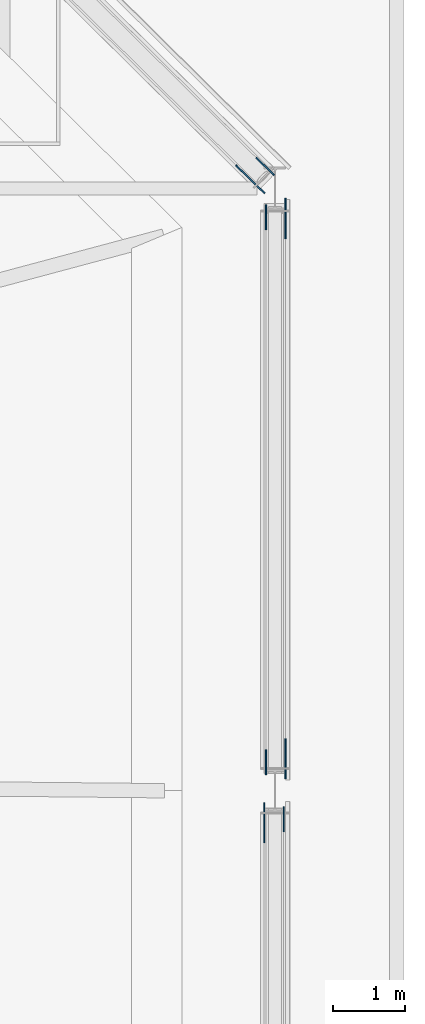
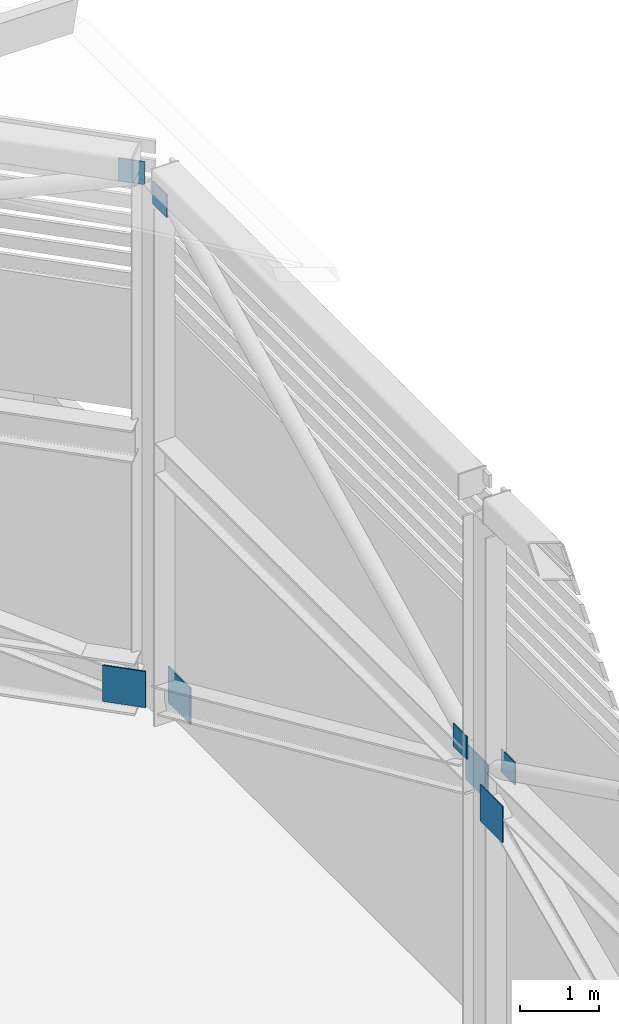
# One storey, part 18 of 22: 8 discrete accessories.
"""IFC4 building model written with IfcOpenShell, lengths in metres."""

import ifcopenshell
import ifcopenshell.guid

model = None  # the IFC model being written
_history = None  # IfcOwnerHistory: only IFC2X3 demands one
_inside = {}  # id of a spatial element -> (the spatial element, [elements in it])
_under = {}  # id of a project, library or spatial element -> (it, [spatial elements below it])
_declared = {}  # id of a project -> (the project, [libraries it declares])
_typed = {}  # id of a type object -> (the type object, [elements of that type])
_made_of = {}  # id of a material, layer set ... -> (it, [elements and type objects made of it])


def new_model(schema):
    """Start an empty IFC model of exactly this schema.

    Asked for "IFC4X3", IfcOpenShell would pick the latest addendum, in which some entities
    have other attributes; the version numbers below select the first issue.
    IFC2X3 requires an IfcOwnerHistory on every rooted entity: one is made here for all.
    """
    global model, _history
    if schema == "IFC4X3":
        model = ifcopenshell.file(schema_version=(4, 3, 0, 0))
    else:
        model = ifcopenshell.file(schema=schema)
    _inside.clear()
    _under.clear()
    _declared.clear()
    _typed.clear()
    _made_of.clear()
    _history = None
    if model.schema == "IFC2X3":
        org = make("IfcOrganization", Name="unknown")
        user = make(
            "IfcPersonAndOrganization",
            ThePerson=make("IfcPerson", FamilyName="unknown"),
            TheOrganization=org,
        )
        app = make(
            "IfcApplication",
            ApplicationDeveloper=org,
            Version="unknown",
            ApplicationFullName="unknown",
            ApplicationIdentifier="unknown",
        )
        _history = make(
            "IfcOwnerHistory",
            OwningUser=user,
            OwningApplication=app,
            ChangeAction="ADDED",
            CreationDate=0,
        )
    return model


def make(cls, **values):
    """One entity of the class cls with the attributes given. An attribute that is None is left unset."""
    return model.create_entity(
        cls, **{name: value for name, value in values.items() if value is not None}
    )


def rooted(cls, **values):
    """An entity with a GlobalId (a new one), such as an element, a storey or a relation."""
    return make(cls, GlobalId=ifcopenshell.guid.new(), OwnerHistory=_history, **values)


def si_unit(unit_type, name, prefix=None):
    """IfcSIUnit, for example si_unit("LENGTHUNIT", "METRE", prefix="MILLI")."""
    return make("IfcSIUnit", UnitType=unit_type, Prefix=prefix, Name=name)


def assignment(units):
    """IfcUnitAssignment: the units of a project."""
    return None if units is None else make("IfcUnitAssignment", Units=units)


def point(xyz):
    """IfcCartesianPoint."""
    return None if xyz is None else make("IfcCartesianPoint", Coordinates=xyz)


def direction(xyz):
    """IfcDirection."""
    return None if xyz is None else make("IfcDirection", DirectionRatios=xyz)


def frame(location, z_axis=None, x_axis=None):
    """IfcAxis2Placement3D, a coordinate frame: its origin and axes. An axis left out is left unset."""
    return make(
        "IfcAxis2Placement3D",
        Location=point(location),
        Axis=direction(z_axis),
        RefDirection=direction(x_axis),
    )


def frame_2d(location, x_axis=None):
    """IfcAxis2Placement2D, a coordinate frame in the plane: its origin and x axis."""
    return make(
        "IfcAxis2Placement2D", Location=point(location), RefDirection=direction(x_axis)
    )


def origin():
    """The frame at (0, 0, 0) with its axes left unset."""
    return frame((0.0, 0.0, 0.0))


def origin_2d():
    """The frame at (0, 0) in the plane with its x axis left unset."""
    return frame_2d((0.0, 0.0))


def place(relative_to, where):
    """IfcLocalPlacement: puts the frame where relative to a parent placement (None: the world)."""
    return make(
        "IfcLocalPlacement", PlacementRelTo=relative_to, RelativePlacement=where
    )


def context(
    kind, dimensions, precision=None, world=None, true_north=None, identifier=None
):
    """IfcGeometricRepresentationContext, for example the 3D "Model" context."""
    return make(
        "IfcGeometricRepresentationContext",
        ContextIdentifier=identifier,
        ContextType=kind,
        CoordinateSpaceDimension=dimensions,
        Precision=precision,
        WorldCoordinateSystem=world,
        TrueNorth=true_north,
    )


def subcontext(parent, identifier, kind, view, scale=None):
    """IfcGeometricRepresentationSubContext, for example "Body" below "Model"."""
    return make(
        "IfcGeometricRepresentationSubContext",
        ContextIdentifier=identifier,
        ContextType=kind,
        ParentContext=parent,
        TargetScale=scale,
        TargetView=view,
    )


def project(units=None, contexts=None):
    """IfcProject with its units and contexts."""
    return rooted(
        "IfcProject",
        Name="project",
        RepresentationContexts=contexts,
        UnitsInContext=assignment(units),
    )


def spatial(cls, under=None, at=None, **own):
    """A site, building, storey or space (cls), placed at a placement, below another one or the project."""
    s = rooted(cls, ObjectPlacement=at, **own)
    if under is not None:
        _under.setdefault(under.id(), (under, []))[1].append(s)
    return s


def profile(cls, at=None, kind="AREA", **sizes):
    """A parametric profile (cls). Its sizes go by their IFC names, for example OverallWidth=200.0."""
    return make(cls, ProfileType=kind, Position=at, **sizes)


def rectangle(**sizes):
    """IfcRectangleProfileDef."""
    return profile("IfcRectangleProfileDef", **sizes)


def extrude(swept, where, along, depth):
    """IfcExtrudedAreaSolid: the profile swept, set in the frame where, extruded along a direction by depth."""
    return make(
        "IfcExtrudedAreaSolid",
        SweptArea=swept,
        Position=where,
        ExtrudedDirection=direction(along),
        Depth=depth,
    )


def shape(context_of_items, identifier, shape_type, items):
    """IfcShapeRepresentation: the items that make up one representation, for example the "Body"."""
    return make(
        "IfcShapeRepresentation",
        ContextOfItems=context_of_items,
        RepresentationIdentifier=identifier,
        RepresentationType=shape_type,
        Items=items,
    )


def made_of(thing, what):
    """Note that an element or type object is made of a material, layer set ...; save() writes the relation."""
    if what is not None:
        _made_of.setdefault(what.id(), (what, []))[1].append(thing)
    return thing


def element(
    cls,
    number,
    at=None,
    inside=None,
    cuts=None,
    type_object=None,
    material=None,
    context=None,
    identifier="Body",
    shape_type=None,
    held_by="IfcProductDefinitionShape",
    body=None,
    shapes=None,
    **own,
):
    """One element of the class cls, such as IfcWall. Its Tag is "e" and its number.

    at: its placement. inside: the storey or other place that contains it. cuts: it is an
    opening in that element (IfcRelVoidsElement). A single representation is given by context,
    identifier, shape_type and body (its items); several are given by shapes. held_by: the class
    of the entity that holds the representations. save() writes the other relations.
    """
    e = rooted(cls, Tag="e%d" % number, ObjectPlacement=at, **own)
    if body is not None:
        shapes = [shape(context, identifier, shape_type, body)]
    if shapes is not None:
        e.Representation = make(held_by, Representations=shapes)
    if inside is not None:
        _inside.setdefault(inside.id(), (inside, []))[1].append(e)
    if cuts is not None:
        rooted(
            "IfcRelVoidsElement", RelatingBuildingElement=cuts, RelatedOpeningElement=e
        )
    if type_object is not None:
        _typed.setdefault(type_object.id(), (type_object, []))[1].append(e)
    return made_of(e, material)


def aggregate(whole, parts):
    """IfcRelAggregates: a whole, such as a stair, and the parts it consists of."""
    return rooted("IfcRelAggregates", RelatingObject=whole, RelatedObjects=parts)


def save(model, path):
    """Write the relations noted so far, then the file.

    IfcRelAggregates (storeys below a building ...), IfcRelContainedInSpatialStructure (elements
    in a storey), IfcRelDefinesByType, IfcRelAssociatesMaterial and IfcRelDeclares: one each for
    every whole, place, type object, material and project.
    """
    for whole, parts in _under.values():
        aggregate(whole, parts)
    for where, things in _inside.values():
        rooted(
            "IfcRelContainedInSpatialStructure",
            RelatedElements=things,
            RelatingStructure=where,
        )
    for kind, things in _typed.values():
        rooted("IfcRelDefinesByType", RelatedObjects=things, RelatingType=kind)
    for what, things in _made_of.values():
        rooted("IfcRelAssociatesMaterial", RelatedObjects=things, RelatingMaterial=what)
    for by, libraries in _declared.values():
        rooted("IfcRelDeclares", RelatingContext=by, RelatedDefinitions=libraries)
    model.write(path)


model = new_model("IFC4")

# Units and contexts
model_context = context("Model", 3, precision=1e-05, world=origin(), true_north=direction((0.0, 1.0)))
body_context = subcontext(model_context, "Body", "Model", "MODEL_VIEW")
ifc_project = project(units=[si_unit("LENGTHUNIT", "METRE"), si_unit("AREAUNIT", "SQUARE_METRE"), si_unit("VOLUMEUNIT", "CUBIC_METRE"), si_unit("PLANEANGLEUNIT", "RADIAN"), si_unit("MASSUNIT", "GRAM", prefix="KILO")], contexts=[model_context])

# Site, building, storey
site_placement = place(None, origin())
site = spatial("IfcSite", under=ifc_project, at=site_placement, CompositionType="ELEMENT")
building_placement = place(site_placement, origin())
building = spatial("IfcBuilding", under=site, at=building_placement, Name="Saffron Gate Tower", CompositionType="ELEMENT")
storey_placement = place(building_placement, frame((0.0, 0.0, 314.85009765625)))
storey = spatial("IfcBuildingStorey", under=building, at=storey_placement, Name="Roof crown", CompositionType="ELEMENT", Elevation=314.85009765625)

# Discrete accessories
discrete_accessory_1_placement = place(storey_placement, frame((116.85009765625, 56.55224609375, 3.5625), z_axis=(0.0, 0.0, 1.0), x_axis=(0.0, 1.0, 0.0)))
element("IfcDiscreteAccessory", 1, at=discrete_accessory_1_placement, inside=storey, Name="GUSSET PLATE", ObjectType="GUSSET PLATE", PredefinedType="USERDEFINED", context=body_context, shape_type="SweptSolid", body=[
    extrude(rectangle(XDim=0.56005859375, YDim=0.02001953125, at=origin_2d()), origin(), (0.0, 0.0, 1.0), 0.56005859375),
])
discrete_accessory_2_placement = place(storey_placement, frame((117.122314453125, 56.6015625, 4.263671875), z_axis=(0.0, 0.0, 1.0), x_axis=(0.0, -1.0, 0.0)))
element("IfcDiscreteAccessory", 2, at=discrete_accessory_2_placement, inside=storey, Name="GUSSET PLATE", ObjectType="GUSSET PLATE", PredefinedType="USERDEFINED", context=body_context, shape_type="SweptSolid", body=[
    extrude(rectangle(XDim=0.35009765625, YDim=0.02001953125, at=origin_2d()), origin(), (0.0, 0.0, 1.0), 0.35009765625),
])
for number, where, z_axis, x_axis, name in (
    (3, (117.14990234375, 64.982421875, 0.17724609375), (0.0, 0.0, 1.0), (0.0, -1.0, 0.0), "GUSSET PLATE"),
    (4, (117.14990234375, 57.44775390625, 3.5625), (0.0, 0.0, 1.0), (0.0, -1.0, 0.0), "GUSSET PLATE"),
):
    element("IfcDiscreteAccessory", number, at=place(storey_placement, frame(where, z_axis=z_axis, x_axis=x_axis)), inside=storey, Name=name, ObjectType="GUSSET PLATE", PredefinedType="USERDEFINED", context=body_context, shape_type="SweptSolid", body=[
        extrude(rectangle(XDim=0.56005859375, YDim=0.02001953125, at=origin_2d()), origin(), (0.0, 0.0, 1.0), 0.56005859375),
    ])
for number, where, z_axis, x_axis, name in (
    (5, (116.877685546875, 57.3984375, 4.263671875), (0.0, 0.0, 1.0), (0.0, 1.0, 0.0), "GUSSET PLATE"),
    (6, (116.877685546875, 65.001708984375, 8.035888671875), (0.0, 0.0, 1.0), (0.0, 1.0, 0.0), "GUSSET PLATE"),
):
    element("IfcDiscreteAccessory", number, at=place(storey_placement, frame(where, z_axis=z_axis, x_axis=x_axis)), inside=storey, Name=name, ObjectType="GUSSET PLATE", PredefinedType="USERDEFINED", context=body_context, shape_type="SweptSolid", body=[
        extrude(rectangle(XDim=0.35009765625, YDim=0.02001953125, at=origin_2d()), origin(), (0.0, 0.0, 1.0), 0.35009765625),
    ])
discrete_accessory_3_placement = place(storey_placement, frame((116.655517578125, 65.52978515625, 0.156982421875), z_axis=(0.0, 0.0, 1.0), x_axis=(-0.710901361809, 0.703291727364, 0.0)))
element("IfcDiscreteAccessory", 7, at=discrete_accessory_3_placement, inside=storey, Name="GUSSET PLATE", ObjectType="GUSSET PLATE", PredefinedType="USERDEFINED", context=body_context, shape_type="SweptSolid", body=[
    extrude(rectangle(XDim=0.56005859375, YDim=0.02001953125, at=origin_2d()), origin(), (0.0, 0.0, 1.0), 0.56005859375),
])
discrete_accessory_4_placement = place(storey_placement, frame((116.8623046875, 65.708251953125, 8.049560546875), z_axis=(0.0, 0.0, 1.0), x_axis=(0.710902589283, -0.703290486606, 0.0)))
element("IfcDiscreteAccessory", 8, at=discrete_accessory_4_placement, inside=storey, Name="GUSSET PLATE", ObjectType="GUSSET PLATE", PredefinedType="USERDEFINED", context=body_context, shape_type="SweptSolid", body=[
    extrude(rectangle(XDim=0.35009765625, YDim=0.02001953125, at=origin_2d()), origin(), (0.0, 0.0, 1.0), 0.35009765625),
])

save(model, "model.ifc")
